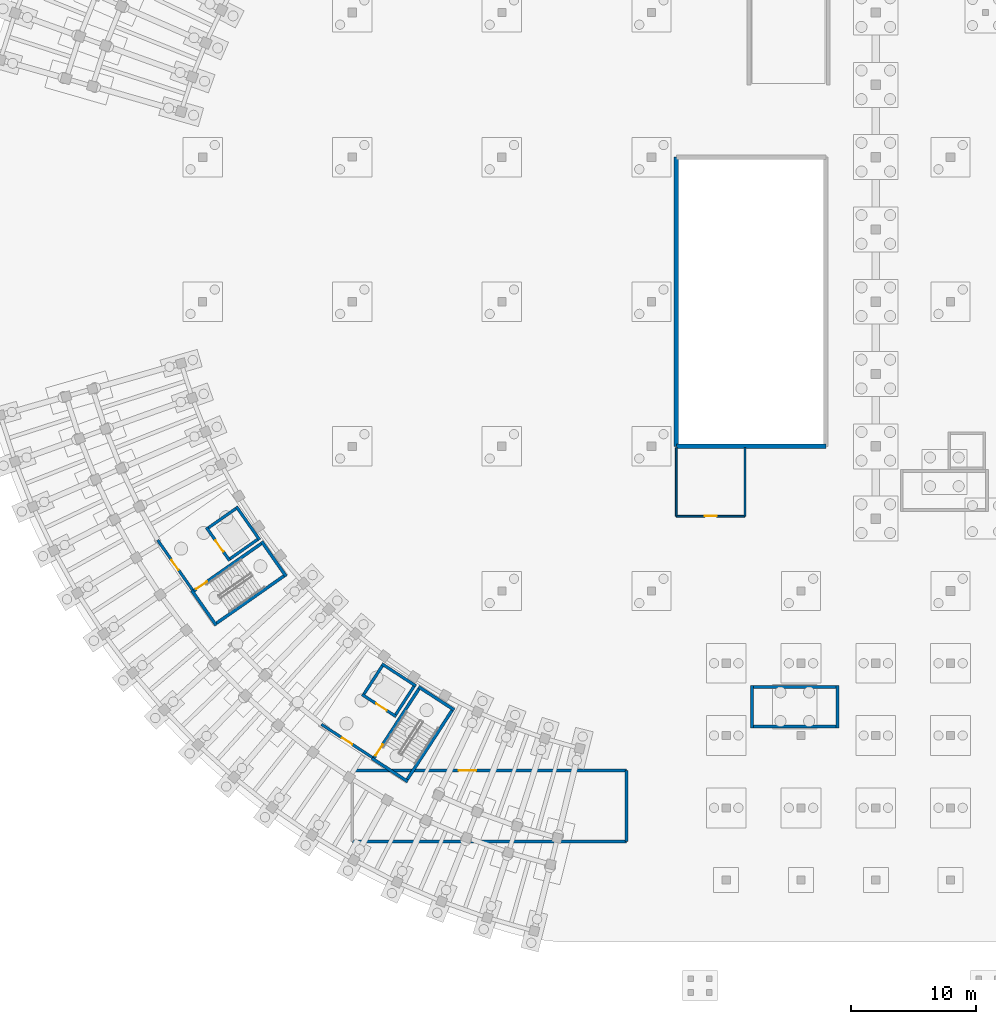
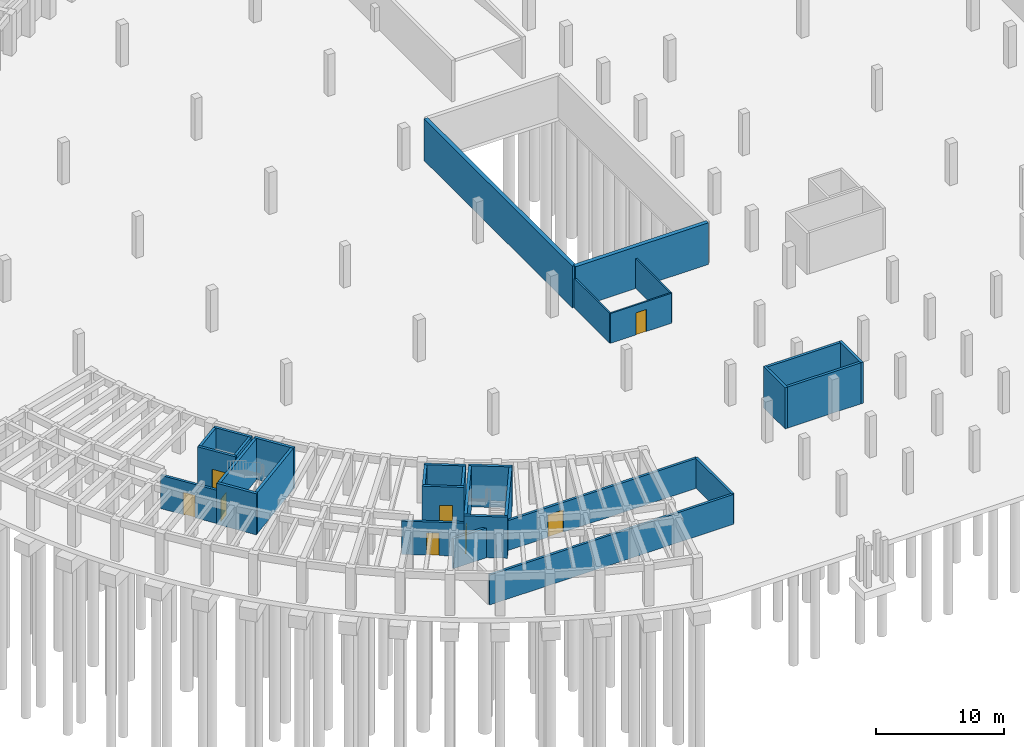
# One storey, part 18 of 29: 30 walls, 8 doors, 8 openings.
"""IFC4 building model written with IfcOpenShell, lengths in metres."""

from ifc_helpers import new_model, si_unit, direction, frame, frame_2d, origin, place, context, subcontext, project, spatial, rectangle, extrude, material, layer, layer_set, type_object, element, fill, save


model = new_model("IFC4")

# Units and contexts
model_context = context("Model", 3, precision=1e-05, world=origin(), true_north=direction((0.0, 1.0)))
body_context = subcontext(model_context, "Body", "Model", "MODEL_VIEW")
ifc_project = project(units=[si_unit("LENGTHUNIT", "METRE"), si_unit("AREAUNIT", "SQUARE_METRE"), si_unit("VOLUMEUNIT", "CUBIC_METRE"), si_unit("PLANEANGLEUNIT", "RADIAN"), si_unit("MASSUNIT", "GRAM", prefix="KILO")], contexts=[model_context])

# Site, building, storey
site_placement = place(None, origin())
site = spatial("IfcSite", under=ifc_project, at=site_placement, CompositionType="ELEMENT")
building_placement = place(site_placement, origin())
building = spatial("IfcBuilding", under=site, at=building_placement, Name="Tanwirah Colonnade Gardens", CompositionType="ELEMENT")
storey_placement = place(building_placement, frame((0.0, 0.0, -4.199951171875)))
storey = spatial("IfcBuildingStorey", under=building, at=storey_placement, Name="B1", CompositionType="ELEMENT", Elevation=-4.199951171875)

# Wall, opening, door
ifc_material_1 = material(Name="Autoclaved aerated masonry blockwork", Category="masonry")
ifc_layer_1 = layer(ifc_material_1, 0.219970703125)
ifc_layer_set_1 = layer_set([ifc_layer_1], Name="Autoclaved aerated masonry blockwork")
wall_type_1 = type_object("IfcWallType", Name="IW-FFL220", PredefinedType="PARTITIONING", material=ifc_layer_set_1)
wall_1_placement = place(storey_placement, frame((23.19482421875, 34.06787109375, 0.0), z_axis=(0.0, 0.0, 1.0), x_axis=(-0.573572687386, 0.819154669329, 0.0)))
wall_1 = element("IfcWall", 1, at=wall_1_placement, inside=storey, type_object=wall_type_1, Name="CORE-C1 B1 Enclosed Lobby Fire Wall", PredefinedType="PARTITIONING", context=body_context, shape_type="SweptSolid", body=[
    extrude(rectangle(XDim=4.900146484375, YDim=0.219970703125, at=frame_2d((2.4501953125, 0.0))), origin(), (0.0, 0.0, 1.0), 3.179931640625),
])
opening_1_placement = place(wall_1_placement, frame((1.949951171875, 0.0, 0.0)))
opening_1 = element("IfcOpeningElement", 2, at=opening_1_placement, cuts=wall_1, Name="Opening B1-LD133", PredefinedType="OPENING", context=body_context, shape_type="SweptSolid", body=[
    extrude(rectangle(XDim=1.0, YDim=2.14990234375, at=frame_2d((0.5, 1.074951171875))), frame((0.0, 0.119873046875, 0.0), z_axis=(0.0, -1.0, 0.0), x_axis=(1.0, 0.0, 0.0)), (0.0, 0.0, 1.0), 0.239990234375),
])
ifc_material_2 = material(Name="Acoustic fire-resisting lobby door")
door_type_1 = type_object("IfcDoorType", Name="ID-FFL100", OperationType="NOTDEFINED", PredefinedType="DOOR", material=ifc_material_2)
door_1_placement = place(opening_1_placement, origin())
door_1 = element("IfcDoor", 3, at=door_1_placement, inside=storey, type_object=door_type_1, Name="CORE-C1 B1 Lobby Fire Door B1-LD133", OperationType="SINGLE_SWING_RIGHT", OverallHeight=2.14990234375, OverallWidth=1.0, PredefinedType="DOOR", context=body_context, shape_type="SweptSolid", body=[
    extrude(rectangle(XDim=1.0, YDim=2.14990234375, at=frame_2d((0.5, 1.074951171875))), frame((0.0, 0.02490234375, 0.0), z_axis=(0.0, -1.0, 0.0), x_axis=(1.0, 0.0, 0.0)), (0.0, 0.0, 1.0), 0.050048828125),
])
fill(opening_1, door_1)

wall_2_placement = place(storey_placement, frame((37.638916015625, 20.623291015625, 0.0), z_axis=(0.0, 0.0, 1.0), x_axis=(-0.838681446513, 0.544622283124, 0.0)))
wall_2 = element("IfcWall", 4, at=wall_2_placement, inside=storey, type_object=wall_type_1, Name="CORE-C2 B1 Enclosed Lobby Fire Wall", PredefinedType="PARTITIONING", context=body_context, shape_type="SweptSolid", body=[
    extrude(rectangle(XDim=4.900146484375, YDim=0.219970703125, at=frame_2d((2.4501953125, 0.0))), origin(), (0.0, 0.0, 1.0), 3.179931640625),
])
opening_2_placement = place(wall_2_placement, frame((1.949951171875, 0.0, 0.0)))
opening_2 = element("IfcOpeningElement", 5, at=opening_2_placement, cuts=wall_2, Name="Opening B1-LD157", PredefinedType="OPENING", context=body_context, shape_type="SweptSolid", body=[
    extrude(rectangle(XDim=0.97998046875, YDim=2.139892578125, at=frame_2d((0.489990234375, 1.06982421875))), frame((0.0, 0.119873046875, 0.0), z_axis=(0.0, -1.0, 0.0), x_axis=(1.0, 0.0, 0.0)), (0.0, 0.0, 1.0), 0.239990234375),
])
door_type_2 = type_object("IfcDoorType", Name="ID-FFL098", OperationType="NOTDEFINED", PredefinedType="DOOR", material=ifc_material_2)
door_2_placement = place(opening_2_placement, origin())
door_2 = element("IfcDoor", 6, at=door_2_placement, inside=storey, type_object=door_type_2, Name="CORE-C2 B1 Lobby Fire Door B1-LD157", OperationType="SINGLE_SWING_RIGHT", OverallHeight=2.139892578125, OverallWidth=0.97998046875, PredefinedType="DOOR", context=body_context, shape_type="SweptSolid", body=[
    extrude(rectangle(XDim=0.97998046875, YDim=2.139892578125, at=frame_2d((0.489990234375, 1.06982421875))), frame((0.0, 0.02490234375, 0.0), z_axis=(0.0, -1.0, 0.0), x_axis=(1.0, 0.0, 0.0)), (0.0, 0.0, 1.0), 0.050048828125),
])
fill(opening_2, door_2)

wall_3_placement = place(storey_placement, frame((36.0, 19.60009765625, 0.0), z_axis=(0.0, 0.0, 1.0), x_axis=(1.0, 0.0, 0.0)))
wall_3 = element("IfcWall", 7, at=wall_3_placement, inside=storey, type_object=wall_type_1, Name="Interior Partition IW-B1-STR1-N", PredefinedType="PARTITIONING", context=body_context, shape_type="SweptSolid", body=[
    extrude(rectangle(XDim=22.0, YDim=0.219970703125, at=frame_2d((11.0, 0.0))), origin(), (0.0, 0.0, 1.0), 2.849853515625),
])
opening_3_placement = place(wall_3_placement, frame((8.5400390625, 0.0, 0.0)))
opening_3 = element("IfcOpeningElement", 8, at=opening_3_placement, cuts=wall_3, Name="Opening B1-VD1976", PredefinedType="OPENING", context=body_context, shape_type="SweptSolid", body=[
    extrude(rectangle(XDim=1.39990234375, YDim=2.14990234375, at=frame_2d((0.699951171875, 1.074951171875))), frame((0.0, 0.119873046875, 0.0), z_axis=(0.0, -1.0, 0.0), x_axis=(1.0, 0.0, 0.0)), (0.0, 0.0, 1.0), 0.239990234375),
])
ifc_material_3 = material(Name="Steel basement service double fire door", Category="steel")
door_type_3 = type_object("IfcDoorType", Name="ID-B1D14", OperationType="DOUBLE_DOOR_SINGLE_SWING", PredefinedType="DOOR", material=ifc_material_3)
door_3_placement = place(opening_3_placement, origin())
door_3 = element("IfcDoor", 9, at=door_3_placement, inside=storey, type_object=door_type_3, Name="Civic interior door B1-VD1976", OperationType="DOUBLE_DOOR_SINGLE_SWING", OverallHeight=2.14990234375, OverallWidth=1.39990234375, PredefinedType="DOOR", context=body_context, shape_type="SweptSolid", body=[
    extrude(rectangle(XDim=1.39990234375, YDim=2.14990234375, at=frame_2d((0.699951171875, 1.074951171875))), frame((0.0, 0.02490234375, 0.0), z_axis=(0.0, -1.0, 0.0), x_axis=(1.0, 0.0, 0.0)), (0.0, 0.0, 1.0), 0.050048828125),
])
fill(opening_3, door_3)

# Walls
wall_4_placement = place(storey_placement, frame((36.0, 13.89990234375, 0.0), z_axis=(0.0, 0.0, 1.0), x_axis=(1.0, 0.0, 0.0)))
element("IfcWall", 10, at=wall_4_placement, inside=storey, type_object=wall_type_1, Name="Interior Partition IW-B1-STR1-S", PredefinedType="PARTITIONING", context=body_context, shape_type="SweptSolid", body=[
    extrude(rectangle(XDim=22.0, YDim=0.219970703125, at=frame_2d((11.0, 0.0))), origin(), (0.0, 0.0, 1.0), 2.849853515625),
])
wall_5_placement = place(storey_placement, frame((58.0, 13.89990234375, 0.0), z_axis=(0.0, 0.0, 1.0), x_axis=(0.0, 1.0, 0.0)))
element("IfcWall", 11, at=wall_5_placement, inside=storey, type_object=wall_type_1, Name="Interior Partition IW-B1-STR1-E", PredefinedType="PARTITIONING", context=body_context, shape_type="SweptSolid", body=[
    extrude(rectangle(XDim=5.7001953125, YDim=0.219970703125, at=frame_2d((2.85009765625, 0.0))), origin(), (0.0, 0.0, 1.0), 2.849853515625),
])
ifc_material_4 = material(Name="Water-resistant acoustic plumbing partition")
ifc_layer_2 = layer(ifc_material_4, 0.139892578125)
ifc_layer_set_2 = layer_set([ifc_layer_2], Name="Water-resistant acoustic plumbing partition")
wall_type_2 = type_object("IfcWallType", Name="IW-WET140", PredefinedType="PLUMBINGWALL", material=ifc_layer_set_2)
for number, where, z_axis, x_axis, name in (
    (12, (62.0, 40.0, 0.0), (0.0, 0.0, 1.0), (0.0, 1.0, 0.0), "Interior Partition IW-B1-AWC-W"),
    (13, (67.5, 40.0, 0.0), (0.0, 0.0, 1.0), (0.0, 1.0, 0.0), "Interior Partition IW-B1-AWC-E"),
):
    element("IfcWall", number, at=place(storey_placement, frame(where, z_axis=z_axis, x_axis=x_axis)), inside=storey, type_object=wall_type_2, Name=name, PredefinedType="PLUMBINGWALL", context=body_context, shape_type="SweptSolid", body=[
        extrude(rectangle(XDim=5.5, YDim=0.139892578125, at=frame_2d((2.75, 0.0))), origin(), (0.0, 0.0, 1.0), 2.849853515625),
    ])

# Wall, opening, door
wall_6_placement = place(storey_placement, frame((62.0, 40.0, 0.0), z_axis=(0.0, 0.0, 1.0), x_axis=(1.0, 0.0, 0.0)))
wall_6 = element("IfcWall", 14, at=wall_6_placement, inside=storey, type_object=wall_type_2, Name="Interior Partition IW-B1-AWC-S", PredefinedType="PLUMBINGWALL", context=body_context, shape_type="SweptSolid", body=[
    extrude(rectangle(XDim=5.5, YDim=0.139892578125, at=frame_2d((2.75, 0.0))), origin(), (0.0, 0.0, 1.0), 2.849853515625),
])
opening_4_placement = place(wall_6_placement, frame((2.27001953125, 0.0, 0.0)))
opening_4 = element("IfcOpeningElement", 15, at=opening_4_placement, cuts=wall_6, Name="Opening B1-VD1975", PredefinedType="OPENING", context=body_context, shape_type="SweptSolid", body=[
    extrude(rectangle(XDim=0.9599609375, YDim=2.10009765625, at=frame_2d((0.47998046875, 1.050048828125))), frame((0.0, 0.079833984375, 0.0), z_axis=(0.0, -1.0, 0.0), x_axis=(1.0, 0.0, 0.0)), (0.0, 0.0, 1.0), 0.159912109375),
])
ifc_material_5 = material(Name="Accessible toilet outward-opening door")
door_type_4 = type_object("IfcDoorType", Name="ID-AWC096", OperationType="NOTDEFINED", PredefinedType="DOOR", material=ifc_material_5)
door_4_placement = place(opening_4_placement, origin())
door_4 = element("IfcDoor", 16, at=door_4_placement, inside=storey, type_object=door_type_4, Name="Civic interior door B1-VD1975", OperationType="SINGLE_SWING_RIGHT", OverallHeight=2.10009765625, OverallWidth=0.9599609375, PredefinedType="DOOR", context=body_context, shape_type="SweptSolid", body=[
    extrude(rectangle(XDim=0.9599609375, YDim=2.10009765625, at=frame_2d((0.47998046875, 1.050048828125))), frame((0.0, 0.02490234375, 0.0), z_axis=(0.0, -1.0, 0.0), x_axis=(1.0, 0.0, 0.0)), (0.0, 0.0, 1.0), 0.050048828125),
])
fill(opening_4, door_4)

# Walls
ifc_material_6 = material(Name="Concrete C45/55", Category="concrete")
ifc_layer_3 = layer(ifc_material_6, 0.360107421875)
ifc_layer_set_3 = layer_set([ifc_layer_3], Name="Concrete C45/55")
wall_type_3 = type_object("IfcWallType", Name="SW-B1RET360", PredefinedType="STANDARD", material=ifc_layer_set_3)
wall_7_placement = place(storey_placement, frame((62.0, 45.60009765625, 0.0), z_axis=(0.0, 0.0, 1.0), x_axis=(1.0, 0.0, 0.0)))
element("IfcWall", 17, at=wall_7_placement, inside=storey, type_object=wall_type_3, Name="Basement Courtyard Retaining Wall 1.1", PredefinedType="STANDARD", context=body_context, shape_type="SweptSolid", body=[
    extrude(rectangle(XDim=12.0, YDim=0.360107421875, at=frame_2d((6.0, 0.0))), origin(), (0.0, 0.0, 1.0), 3.969970703125),
])
wall_8_placement = place(storey_placement, frame((62.0, 68.800048828125, 0.0), z_axis=(0.0, 0.0, 1.0), x_axis=(0.0, -1.0, 0.0)))
element("IfcWall", 18, at=wall_8_placement, inside=storey, type_object=wall_type_3, Name="Basement Courtyard Retaining Wall 1.4", PredefinedType="STANDARD", context=body_context, shape_type="SweptSolid", body=[
    extrude(rectangle(XDim=23.199951171875, YDim=0.360107421875, at=frame_2d((11.60009765625, 0.0))), origin(), (0.0, 0.0, 1.0), 3.969970703125),
])
ifc_layer_4 = layer(ifc_material_6, 0.235107421875)
ifc_layer_set_4 = layer_set([ifc_layer_4], Name="Concrete C45/55")
wall_type_4 = type_object("IfcWallType", Name="SW-CORE235", PredefinedType="SHEAR", material=ifc_layer_set_4)
wall_9_placement = place(storey_placement, frame((68.199951171875, 23.132568359375, 0.0), z_axis=(0.0, 0.0, 1.0), x_axis=(1.0, 0.0, 0.0)))
element("IfcWall", 19, at=wall_9_placement, inside=storey, type_object=wall_type_4, Name="CORE-SW B1 Stair Shaft Shear Wall LEFT", PredefinedType="SHEAR", context=body_context, shape_type="SweptSolid", body=[
    extrude(rectangle(XDim=6.60009765625, YDim=0.235107421875, at=frame_2d((3.300048828125, 0.0))), origin(), (0.0, 0.0, 1.0), 3.919921875),
])
for number, where, z_axis, x_axis, name in (
    (20, (74.91748046875, 23.014892578125, 0.0), (0.0, 0.0, 1.0), (0.0, 1.0, 0.0), "CORE-SW B1 Stair Shaft Shear Wall FAR"),
    (21, (68.08251953125, 23.014892578125, 0.0), (0.0, 0.0, 1.0), (0.0, 1.0, 0.0), "CORE-SW B1 Stair Shaft Shear Wall NEAR"),
):
    element("IfcWall", number, at=place(storey_placement, frame(where, z_axis=z_axis, x_axis=x_axis)), inside=storey, type_object=wall_type_4, Name=name, PredefinedType="SHEAR", context=body_context, shape_type="SweptSolid", body=[
        extrude(rectangle(XDim=3.39013671875, YDim=0.235107421875, at=frame_2d((1.695068359375, 0.0))), origin(), (0.0, 0.0, 1.0), 3.919921875),
    ])
wall_10_placement = place(storey_placement, frame((68.199951171875, 26.28759765625, 0.0), z_axis=(0.0, 0.0, 1.0), x_axis=(1.0, 0.0, 0.0)))
element("IfcWall", 22, at=wall_10_placement, inside=storey, type_object=wall_type_4, Name="CORE-SW B1 Stair Shaft Shear Wall RIGHT", PredefinedType="SHEAR", context=body_context, shape_type="SweptSolid", body=[
    extrude(rectangle(XDim=6.60009765625, YDim=0.235107421875, at=frame_2d((3.300048828125, 0.0))), origin(), (0.0, 0.0, 1.0), 3.919921875),
])
ifc_layer_5 = layer(ifc_material_6, 0.25)
ifc_layer_set_5 = layer_set([ifc_layer_5], Name="Concrete C45/55")
wall_type_5 = type_object("IfcWallType", Name="SW-CORE250", PredefinedType="SHEAR", material=ifc_layer_set_5)
wall_11_placement = place(storey_placement, frame((25.1142578125, 31.413818359375, 0.0), z_axis=(0.0, 0.0, 1.0), x_axis=(0.819141541656, 0.573591435374, 0.0)))
element("IfcWall", 23, at=wall_11_placement, inside=storey, type_object=wall_type_5, Name="CORE-C1 B1 Stair Shaft Shear Wall LEFT", PredefinedType="SHEAR", context=body_context, shape_type="SweptSolid", body=[
    extrude(rectangle(XDim=6.599853515625, YDim=0.25, at=frame_2d((3.2998046875, 0.0))), origin(), (0.0, 0.0, 1.0), 3.919921875),
])
for number, where, z_axis, x_axis, name in (
    (24, (30.694580078125, 35.168701171875, 0.0), (0.0, 0.0, 1.0), (-0.573582112484, 0.819148069789, 0.0), "CORE-C1 B1 Stair Shaft Shear Wall FAR"),
    (25, (25.08349609375, 31.23974609375, 0.0), (0.0, 0.0, 1.0), (-0.573582112484, 0.819148069789, 0.0), "CORE-C1 B1 Stair Shaft Shear Wall NEAR"),
):
    element("IfcWall", number, at=place(storey_placement, frame(where, z_axis=z_axis, x_axis=x_axis)), inside=storey, type_object=wall_type_5, Name=name, PredefinedType="SHEAR", context=body_context, shape_type="SweptSolid", body=[
        extrude(rectangle(XDim=3.419921875, YDim=0.25, at=frame_2d((1.7099609375, 0.0))), origin(), (0.0, 0.0, 1.0), 3.919921875),
    ])

# Wall, opening, door
wall_12_placement = place(storey_placement, frame((23.2958984375, 34.010498046875, 0.0), z_axis=(0.0, 0.0, 1.0), x_axis=(0.819153711596, 0.573574055182, 0.0)))
wall_12 = element("IfcWall", 26, at=wall_12_placement, inside=storey, type_object=wall_type_5, Name="CORE-C1 B1 Stair Shaft Shear Wall RIGHT", PredefinedType="SHEAR", context=body_context, shape_type="SweptSolid", body=[
    extrude(rectangle(XDim=6.60009765625, YDim=0.25, at=frame_2d((3.300048828125, 0.0))), origin(), (0.0, 0.0, 1.0), 3.919921875),
])
opening_5_placement = place(wall_12_placement, frame((0.219970703125, 0.0, 0.0)))
opening_5 = element("IfcOpeningElement", 27, at=opening_5_placement, cuts=wall_12, Name="Opening B1-SD121", PredefinedType="OPENING", context=body_context, shape_type="SweptSolid", body=[
    extrude(rectangle(XDim=1.050048828125, YDim=2.14990234375, at=frame_2d((0.52490234375, 1.074951171875))), frame((0.0, 0.135009765625, 0.0), z_axis=(0.0, -1.0, 0.0), x_axis=(1.0, 0.0, 0.0)), (0.0, 0.0, 1.0), 0.27001953125),
])
ifc_material_7 = material(Name="Steel fire-resisting stair enclosure door", Category="steel")
door_type_5 = type_object("IfcDoorType", Name="ID-ST105", OperationType="NOTDEFINED", PredefinedType="DOOR", material=ifc_material_7)
door_5_placement = place(opening_5_placement, origin())
door_5 = element("IfcDoor", 28, at=door_5_placement, inside=storey, type_object=door_type_5, Name="CORE-C1 B1 Stair Fire Door B1-SD121", OperationType="SINGLE_SWING_RIGHT", OverallHeight=2.14990234375, OverallWidth=1.050048828125, PredefinedType="DOOR", context=body_context, shape_type="SweptSolid", body=[
    extrude(rectangle(XDim=1.050048828125, YDim=2.14990234375, at=frame_2d((0.52490234375, 1.074951171875))), frame((0.0, 0.02490234375, 0.0), z_axis=(0.0, -1.0, 0.0), x_axis=(1.0, 0.0, 0.0)), (0.0, 0.0, 1.0), 0.050048828125),
])
fill(opening_5, door_5)

# Walls
wall_13_placement = place(storey_placement, frame((40.412841796875, 18.881591796875, 0.0), z_axis=(0.0, 0.0, 1.0), x_axis=(0.544629435258, 0.838676802022, 0.0)))
element("IfcWall", 29, at=wall_13_placement, inside=storey, type_object=wall_type_5, Name="CORE-C2 B1 Stair Shaft Shear Wall LEFT", PredefinedType="SHEAR", context=body_context, shape_type="SweptSolid", body=[
    extrude(rectangle(XDim=6.599853515625, YDim=0.25, at=frame_2d((3.2998046875, 0.0))), origin(), (0.0, 0.0, 1.0), 3.919921875),
])
wall_14_placement = place(storey_placement, frame((44.180419921875, 24.45361328125, 0.0), z_axis=(0.0, 0.0, 1.0), x_axis=(-0.838699580527, 0.544594356953, 0.0)))
element("IfcWall", 30, at=wall_14_placement, inside=storey, type_object=wall_type_5, Name="CORE-C2 B1 Stair Shaft Shear Wall FAR", PredefinedType="SHEAR", context=body_context, shape_type="SweptSolid", body=[
    extrude(rectangle(XDim=3.420166015625, YDim=0.25, at=frame_2d((1.7099609375, 0.0))), origin(), (0.0, 0.0, 1.0), 3.919921875),
])
wall_15_placement = place(storey_placement, frame((40.449462890625, 18.708740234375, 0.0), z_axis=(0.0, 0.0, 1.0), x_axis=(-0.838678407117, 0.544626963559, 0.0)))
element("IfcWall", 31, at=wall_15_placement, inside=storey, type_object=wall_type_5, Name="CORE-C2 B1 Stair Shaft Shear Wall NEAR", PredefinedType="SHEAR", context=body_context, shape_type="SweptSolid", body=[
    extrude(rectangle(XDim=3.419921875, YDim=0.25, at=frame_2d((1.7099609375, 0.0))), origin(), (0.0, 0.0, 1.0), 3.919921875),
])

# Wall, opening, door
wall_16_placement = place(storey_placement, frame((37.754150390625, 20.608154296875, 0.0), z_axis=(0.0, 0.0, 1.0), x_axis=(0.544655453679, 0.838659905312, 0.0)))
wall_16 = element("IfcWall", 32, at=wall_16_placement, inside=storey, type_object=wall_type_5, Name="CORE-C2 B1 Stair Shaft Shear Wall RIGHT", PredefinedType="SHEAR", context=body_context, shape_type="SweptSolid", body=[
    extrude(rectangle(XDim=6.60009765625, YDim=0.25, at=frame_2d((3.300048828125, 0.0))), origin(), (0.0, 0.0, 1.0), 3.919921875),
])
opening_6_placement = place(wall_16_placement, frame((0.219970703125, 0.0, 0.0)))
opening_6 = element("IfcOpeningElement", 33, at=opening_6_placement, cuts=wall_16, Name="Opening B1-SD145", PredefinedType="OPENING", context=body_context, shape_type="SweptSolid", body=[
    extrude(rectangle(XDim=1.050048828125, YDim=2.14990234375, at=frame_2d((0.52490234375, 1.074951171875))), frame((0.0, 0.135009765625, 0.0), z_axis=(0.0, -1.0, 0.0), x_axis=(1.0, 0.0, 0.0)), (0.0, 0.0, 1.0), 0.27001953125),
])
door_6_placement = place(opening_6_placement, origin())
door_6 = element("IfcDoor", 34, at=door_6_placement, inside=storey, type_object=door_type_5, Name="CORE-C2 B1 Stair Fire Door B1-SD145", OperationType="SINGLE_SWING_RIGHT", OverallHeight=2.14990234375, OverallWidth=1.050048828125, PredefinedType="DOOR", context=body_context, shape_type="SweptSolid", body=[
    extrude(rectangle(XDim=1.050048828125, YDim=2.14990234375, at=frame_2d((0.52490234375, 1.074951171875))), frame((0.0, 0.02490234375, 0.0), z_axis=(0.0, -1.0, 0.0), x_axis=(1.0, 0.0, 0.0)), (0.0, 0.0, 1.0), 0.050048828125),
])
fill(opening_6, door_6)

ifc_layer_6 = layer(ifc_material_6, 0.22998046875)
ifc_layer_set_6 = layer_set([ifc_layer_6], Name="Concrete C45/55")
wall_type_6 = type_object("IfcWallType", Name="SW-LIFT230", PredefinedType="SHEAR", material=ifc_layer_set_6)
wall_17_placement = place(storey_placement, frame((26.1689453125, 36.419189453125, 0.0), z_axis=(0.0, 0.0, 1.0), x_axis=(-0.573582966431, 0.819147471839, 0.0)))
wall_17 = element("IfcWall", 35, at=wall_17_placement, inside=storey, type_object=wall_type_6, Name="CORE-C1 B1 Lift Shaft Wall FRONT", PredefinedType="SHEAR", context=body_context, shape_type="SweptSolid", body=[
    extrude(rectangle(XDim=3.260009765625, YDim=0.22998046875, at=frame_2d((1.6298828125, 0.0))), origin(), (0.0, 0.0, 1.0), 3.919921875),
])
opening_7_placement = place(wall_17_placement, frame((0.89990234375, 0.0, 0.0)))
opening_7 = element("IfcOpeningElement", 36, at=opening_7_placement, cuts=wall_17, Name="Opening B1-LD-FL-C1", PredefinedType="OPENING", context=body_context, shape_type="SweptSolid", body=[
    extrude(rectangle(XDim=1.10009765625, YDim=2.14990234375, at=frame_2d((0.550048828125, 1.074951171875))), frame((0.0, 0.125, 0.0), z_axis=(0.0, -1.0, 0.0), x_axis=(1.0, 0.0, 0.0)), (0.0, 0.0, 1.0), 0.25),
])
ifc_material_8 = material(Name="Stainless steel sliding fire lift landing door", Category="steel")
door_type_6 = type_object("IfcDoorType", Name="LD-FF11", OperationType="DOUBLE_DOOR_SLIDING", PredefinedType="DOOR", material=ifc_material_8)
door_7_placement = place(opening_7_placement, origin())
door_7 = element("IfcDoor", 37, at=door_7_placement, inside=storey, type_object=door_type_6, Name="Lift FL-C1 B1 Sliding Landing Door", OperationType="DOUBLE_DOOR_SLIDING", OverallHeight=2.14990234375, OverallWidth=1.10009765625, PredefinedType="DOOR", context=body_context, shape_type="SweptSolid", body=[
    extrude(rectangle(XDim=1.10009765625, YDim=2.14990234375, at=frame_2d((0.550048828125, 1.074951171875))), frame((0.0, 0.02490234375, 0.0), z_axis=(0.0, -1.0, 0.0), x_axis=(1.0, 0.0, 0.0)), (0.0, 0.0, 1.0), 0.050048828125),
])
fill(opening_7, door_7)

# Walls
wall_18_placement = place(storey_placement, frame((28.569091796875, 38.099609375, 0.0), z_axis=(0.0, 0.0, 1.0), x_axis=(-0.573582966431, 0.819147471839, 0.0)))
element("IfcWall", 38, at=wall_18_placement, inside=storey, type_object=wall_type_6, Name="CORE-C1 B1 Lift Shaft Wall BACK", PredefinedType="SHEAR", context=body_context, shape_type="SweptSolid", body=[
    extrude(rectangle(XDim=3.260009765625, YDim=0.22998046875, at=frame_2d((1.6298828125, 0.0))), origin(), (0.0, 0.0, 1.0), 3.919921875),
])
wall_19_placement = place(storey_placement, frame((26.197265625, 36.579345703125, 0.0), z_axis=(0.0, 0.0, 1.0), x_axis=(0.819159695432, 0.573565509231, 0.0)))
element("IfcWall", 39, at=wall_19_placement, inside=storey, type_object=wall_type_6, Name="CORE-C1 B1 Lift Shaft Wall SIDEA", PredefinedType="SHEAR", context=body_context, shape_type="SweptSolid", body=[
    extrude(rectangle(XDim=2.699951171875, YDim=0.22998046875, at=frame_2d((1.35009765625, 0.0))), origin(), (0.0, 0.0, 1.0), 3.919921875),
])
wall_20_placement = place(storey_placement, frame((24.459228515625, 39.061279296875, 0.0), z_axis=(0.0, 0.0, 1.0), x_axis=(0.819189439894, 0.573523026186, 0.0)))
element("IfcWall", 40, at=wall_20_placement, inside=storey, type_object=wall_type_6, Name="CORE-C1 B1 Lift Shaft Wall SIDEB", PredefinedType="SHEAR", context=body_context, shape_type="SweptSolid", body=[
    extrude(rectangle(XDim=2.7001953125, YDim=0.22998046875, at=frame_2d((1.35009765625, 0.0))), origin(), (0.0, 0.0, 1.0), 3.919921875),
])

# Wall, opening, door
wall_21_placement = place(storey_placement, frame((39.515869140625, 23.91748046875, 0.0), z_axis=(0.0, 0.0, 1.0), x_axis=(-0.838660840752, 0.544654013286, 0.0)))
wall_21 = element("IfcWall", 41, at=wall_21_placement, inside=storey, type_object=wall_type_6, Name="CORE-C2 B1 Lift Shaft Wall FRONT", PredefinedType="SHEAR", context=body_context, shape_type="SweptSolid", body=[
    extrude(rectangle(XDim=3.260009765625, YDim=0.22998046875, at=frame_2d((1.6298828125, 0.0))), origin(), (0.0, 0.0, 1.0), 3.919921875),
])
opening_8_placement = place(wall_21_placement, frame((0.89990234375, 0.0, 0.0)))
opening_8 = element("IfcOpeningElement", 42, at=opening_8_placement, cuts=wall_21, Name="Opening B1-LD-PL-C2", PredefinedType="OPENING", context=body_context, shape_type="SweptSolid", body=[
    extrude(rectangle(XDim=1.0, YDim=2.14990234375, at=frame_2d((0.5, 1.074951171875))), frame((0.0, 0.125, 0.0), z_axis=(0.0, -1.0, 0.0), x_axis=(1.0, 0.0, 0.0)), (0.0, 0.0, 1.0), 0.25),
])
ifc_material_9 = material(Name="Bronze stainless steel sliding lift landing door", Category="steel")
door_type_7 = type_object("IfcDoorType", Name="LD-PS10", OperationType="DOUBLE_DOOR_SLIDING", PredefinedType="DOOR", material=ifc_material_9)
door_8_placement = place(opening_8_placement, origin())
door_8 = element("IfcDoor", 43, at=door_8_placement, inside=storey, type_object=door_type_7, Name="Lift PL-C2 B1 Sliding Landing Door", OperationType="DOUBLE_DOOR_SLIDING", OverallHeight=2.14990234375, OverallWidth=1.0, PredefinedType="DOOR", context=body_context, shape_type="SweptSolid", body=[
    extrude(rectangle(XDim=1.0, YDim=2.14990234375, at=frame_2d((0.5, 1.074951171875))), frame((0.0, 0.02490234375, 0.0), z_axis=(0.0, -1.0, 0.0), x_axis=(1.0, 0.0, 0.0)), (0.0, 0.0, 1.0), 0.050048828125),
])
fill(opening_8, door_8)

# Walls
wall_22_placement = place(storey_placement, frame((41.111572265625, 26.374755859375, 0.0), z_axis=(0.0, 0.0, 1.0), x_axis=(-0.838638623546, 0.544688221919, 0.0)))
element("IfcWall", 44, at=wall_22_placement, inside=storey, type_object=wall_type_6, Name="CORE-C2 B1 Lift Shaft Wall BACK", PredefinedType="SHEAR", context=body_context, shape_type="SweptSolid", body=[
    extrude(rectangle(XDim=3.260009765625, YDim=0.22998046875, at=frame_2d((1.6298828125, 0.0))), origin(), (0.0, 0.0, 1.0), 3.919921875),
])
wall_23_placement = place(storey_placement, frame((39.48193359375, 24.07666015625, 0.0), z_axis=(0.0, 0.0, 1.0), x_axis=(0.544686387605, 0.838639814913, 0.0)))
element("IfcWall", 45, at=wall_23_placement, inside=storey, type_object=wall_type_6, Name="CORE-C2 B1 Lift Shaft Wall SIDEA", PredefinedType="SHEAR", context=body_context, shape_type="SweptSolid", body=[
    extrude(rectangle(XDim=2.7001953125, YDim=0.22998046875, at=frame_2d((1.35009765625, 0.0))), origin(), (0.0, 0.0, 1.0), 3.919921875),
])
wall_24_placement = place(storey_placement, frame((36.94091796875, 25.726806640625, 0.0), z_axis=(0.0, 0.0, 1.0), x_axis=(0.544622789439, 0.838681117722, 0.0)))
element("IfcWall", 46, at=wall_24_placement, inside=storey, type_object=wall_type_6, Name="CORE-C2 B1 Lift Shaft Wall SIDEB", PredefinedType="SHEAR", context=body_context, shape_type="SweptSolid", body=[
    extrude(rectangle(XDim=2.699951171875, YDim=0.22998046875, at=frame_2d((1.35009765625, 0.0))), origin(), (0.0, 0.0, 1.0), 3.919921875),
])

save(model, "model.ifc")
